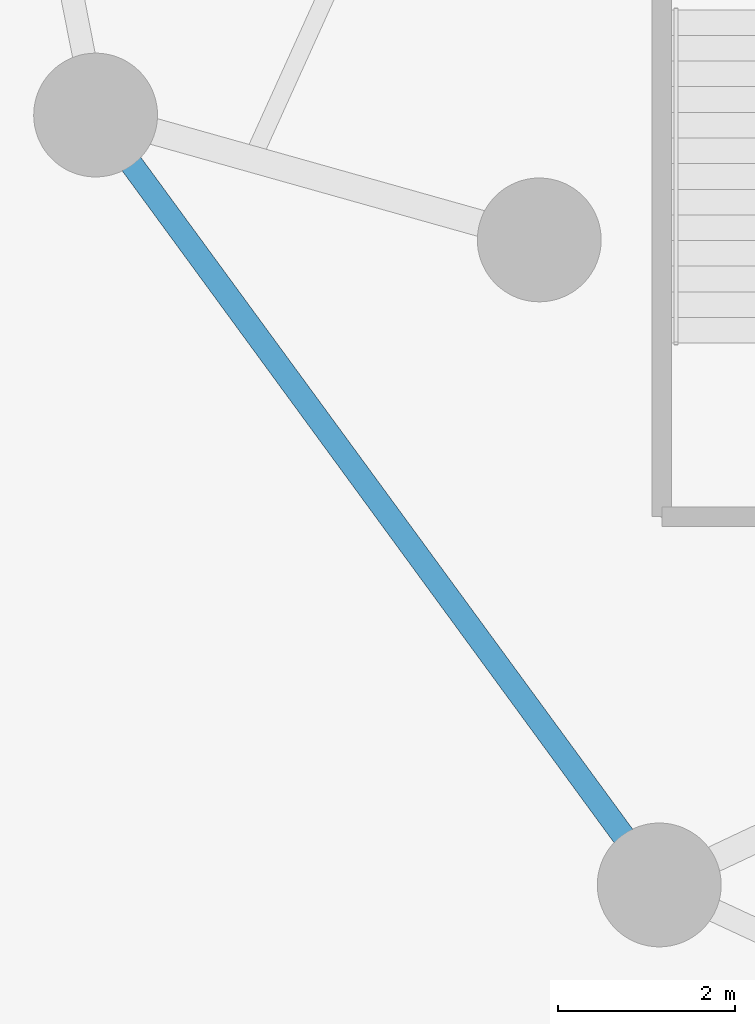
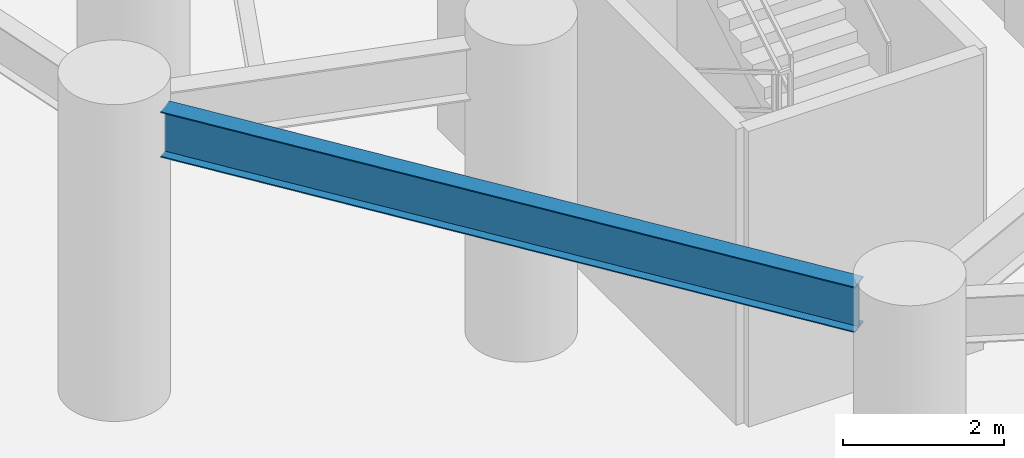
# One storey, part 3 of 26: 1 beam.
"""IFC4 building model written with IfcOpenShell, lengths in metres."""

from ifc_helpers import new_model, si_unit, direction, frame, origin, origin_2d, place, context, subcontext, project, spatial, i_section, extrude, material, material_profile, profile_set, type_object, element, save


model = new_model("IFC4")

# Units and contexts
model_context = context("Model", 3, precision=1e-05, world=origin(), true_north=direction((0.0, 1.0)))
body_context = subcontext(model_context, "Body", "Model", "MODEL_VIEW")
ifc_project = project(units=[si_unit("LENGTHUNIT", "METRE"), si_unit("AREAUNIT", "SQUARE_METRE"), si_unit("VOLUMEUNIT", "CUBIC_METRE"), si_unit("PLANEANGLEUNIT", "RADIAN"), si_unit("MASSUNIT", "GRAM", prefix="KILO")], contexts=[model_context])

# Site, building, storey
site_placement = place(None, origin())
site = spatial("IfcSite", under=ifc_project, at=site_placement, CompositionType="ELEMENT")
building_placement = place(site_placement, origin())
building = spatial("IfcBuilding", under=site, at=building_placement, Name="Vorneva Point Tower", CompositionType="ELEMENT")
storey_placement = place(building_placement, frame((0.0, 0.0, 14.39990234375)))
storey = spatial("IfcBuildingStorey", under=building, at=storey_placement, Name="L03", CompositionType="ELEMENT", Elevation=14.39990234375)

# Beam
ifc_material = material(Name="Steel S355", Category="steel")
ifc_material_profile = material_profile(ifc_material, i_section(OverallWidth=0.260009765625, OverallDepth=0.69091796875, WebThickness=0.011962890625, FlangeThickness=0.015380859375, at=origin_2d()), Name="70B1")
ifc_profile_set = profile_set([ifc_material_profile], Name="Steel S355")
beam_type = type_object("IfcBeamType", Name="BM-SPN-70B1", PredefinedType="SPANDREL", material=ifc_profile_set)
beam_placement = place(storey_placement, frame((12.0927734375, 20.27685546875, 4.134521484375), z_axis=(0.590724084882, -0.806873630465, 0.0), x_axis=(0.806873630465, 0.590724084882, 0.0)))
element("IfcBeam", 1, at=beam_placement, inside=storey, type_object=beam_type, Name="L03 Perimeter Spandrel Ring Beam 10", PredefinedType="SPANDREL", context=body_context, shape_type="SweptSolid", body=[
    extrude(i_section(OverallWidth=0.260009765625, OverallDepth=0.69091796875, WebThickness=0.011962890625, FlangeThickness=0.015380859375, at=origin_2d()), origin(), (0.0, 0.0, 1.0), 9.4189453125),
])

save(model, "model.ifc")
